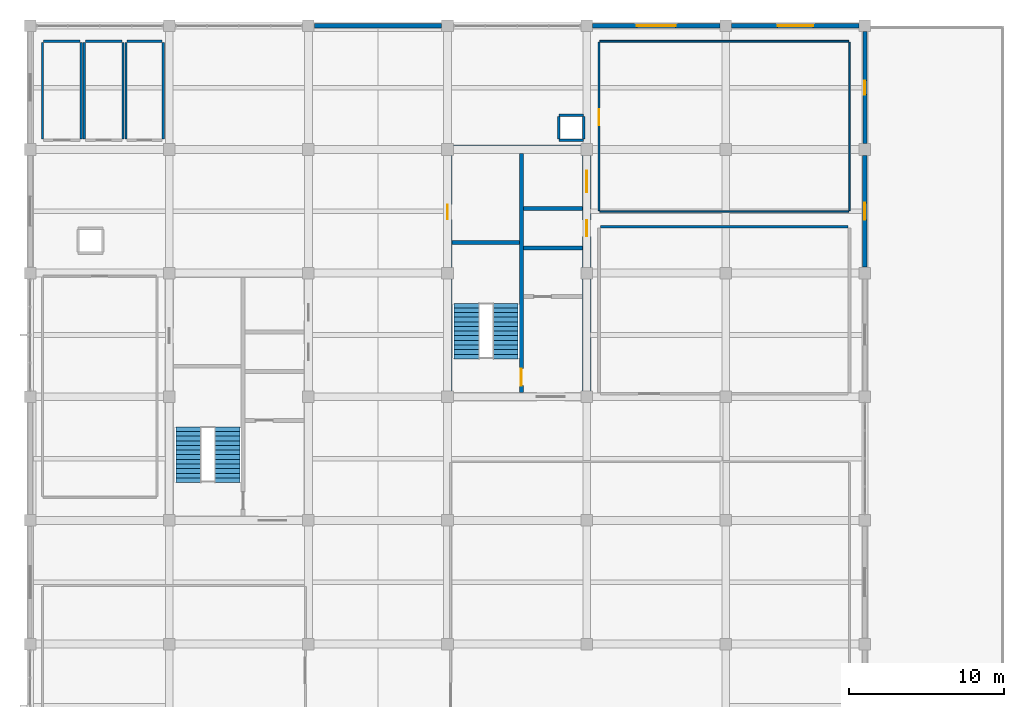
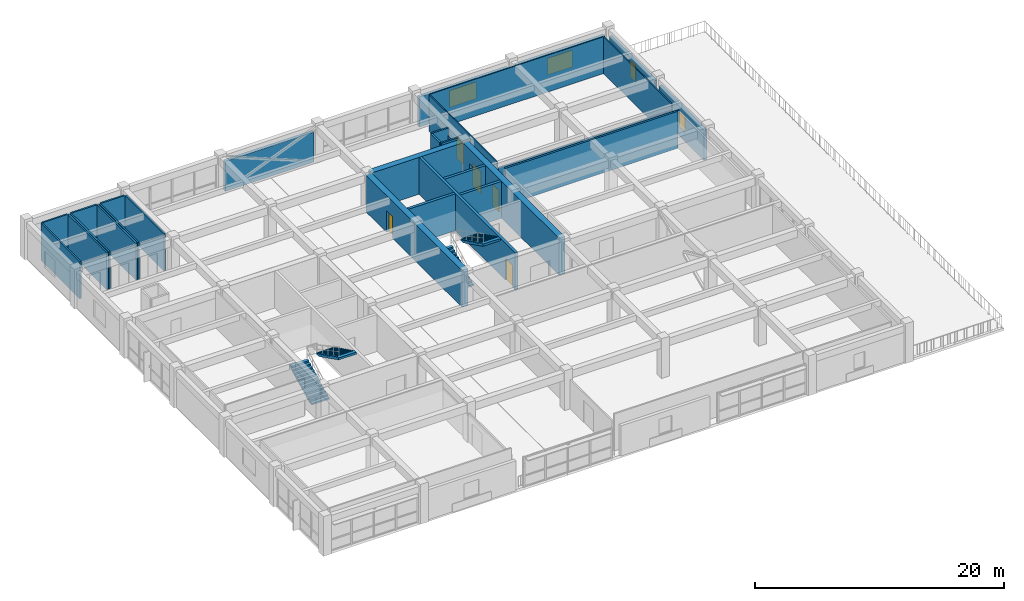
# One storey, part 13 of 15: 30 walls, 5 doors, 4 stair flights, 4 windows, 9 openings, 2 elements without a shape of their own.
"""IFC4 building model written with IfcOpenShell, lengths in metres."""

from ifc_helpers import new_model, si_unit, direction, frame, frame_2d, origin, place, context, subcontext, project, spatial, polyline, rectangle, outline, extrude, material, layer, layer_set, type_object, element, fill, aggregate, save


model = new_model("IFC4")

# Units and contexts
model_context = context("Model", 3, precision=1e-05, world=origin(), true_north=direction((0.0, 1.0)))
body_context = subcontext(model_context, "Body", "Model", "MODEL_VIEW")
ifc_project = project(units=[si_unit("LENGTHUNIT", "METRE"), si_unit("AREAUNIT", "SQUARE_METRE"), si_unit("VOLUMEUNIT", "CUBIC_METRE"), si_unit("PLANEANGLEUNIT", "RADIAN"), si_unit("MASSUNIT", "GRAM", prefix="KILO")], contexts=[model_context])

# Site, building, storey
site_placement = place(None, origin())
site = spatial("IfcSite", under=ifc_project, at=site_placement, CompositionType="ELEMENT")
building_placement = place(site_placement, origin())
building = spatial("IfcBuilding", under=site, at=building_placement, Name="Zaverband Oceanarium and Marine Research Institute", CompositionType="ELEMENT")
storey_placement = place(building_placement, frame((0.0, 0.0, 45.300048828125)))
storey = spatial("IfcBuildingStorey", under=building, at=storey_placement, Name="L11", CompositionType="ELEMENT", Elevation=45.300048828125)

# Wall
ifc_material_1 = material(Name="Concrete C50/60", Category="concrete")
ifc_layer_1 = layer(ifc_material_1, 0.550048828125, Name="Concrete C50/60")
ifc_layer_set_1 = layer_set([ifc_layer_1], Name="Concrete C50/60")
wall_type_1 = type_object("IfcWallType", Name="CW-01", PredefinedType="SHEAR", material=ifc_layer_set_1)
wall_1_placement = place(storey_placement, frame((36.27490234375, 104.0, 0.0), z_axis=(0.0, 0.0, 1.0), x_axis=(1.0, 0.0, 0.0)))
element("IfcWall", 1, at=wall_1_placement, inside=storey, type_object=wall_type_1, Name="Structural shear wall CW-01", PredefinedType="SHEAR", context=body_context, shape_type="SweptSolid", body=[
    extrude(rectangle(XDim=8.4501953125, YDim=0.550048828125, at=frame_2d((4.22509765625, 0.0))), origin(), (0.0, 0.0, 1.0), 3.619873046875),
])

# Wall, opening, door
wall_2_placement = place(storey_placement, frame((36.0, 88.27490234375, 0.0), z_axis=(0.0, 0.0, 1.0), x_axis=(0.0, 1.0, 0.0)))
wall_2 = element("IfcWall", 2, at=wall_2_placement, inside=storey, type_object=wall_type_1, Name="Structural shear wall CW-01", PredefinedType="SHEAR", context=body_context, shape_type="SweptSolid", body=[
    extrude(rectangle(XDim=15.4501953125, YDim=0.550048828125, at=frame_2d((7.72509765625, 0.0))), origin(), (0.0, 0.0, 1.0), 3.619873046875),
])
opening_1_placement = place(wall_2_placement, frame((11.199951171875, 0.0, 0.0)))
opening_1 = element("IfcOpeningElement", 3, at=opening_1_placement, cuts=wall_2, Name="Opening FD-03", PredefinedType="OPENING", context=body_context, shape_type="SweptSolid", body=[
    extrude(rectangle(XDim=0.949951171875, YDim=2.10009765625, at=frame_2d((0.47509765625, 1.050048828125))), frame((0.0, 0.287109375, 0.0), z_axis=(0.0, -1.0, 0.0), x_axis=(1.0, 0.0, 0.0)), (0.0, 0.0, 1.0), 0.573974609375),
])
ifc_material_2 = material(Name="Steel S355", Category="steel")
door_type_1 = type_object("IfcDoorType", Name="FD-03", OperationType="NOTDEFINED", PredefinedType="DOOR", material=ifc_material_2)
door_1_placement = place(opening_1_placement, origin())
door_1 = element("IfcDoor", 4, at=door_1_placement, inside=storey, type_object=door_type_1, Name="Service riser access fire door FD-03", OperationType="SINGLE_SWING_RIGHT", OverallHeight=2.10009765625, OverallWidth=0.949951171875, PredefinedType="DOOR", context=body_context, shape_type="SweptSolid", body=[
    extrude(rectangle(XDim=0.949951171875, YDim=2.10009765625, at=frame_2d((0.47509765625, 1.050048828125))), frame((0.0, 0.02490234375, 0.0), z_axis=(0.0, -1.0, 0.0), x_axis=(1.0, 0.0, 0.0)), (0.0, 0.0, 1.0), 0.050048828125),
])
fill(opening_1, door_1)

# Wall, openings, doors
wall_3_placement = place(storey_placement, frame((45.0, 88.27490234375, 0.0), z_axis=(0.0, 0.0, 1.0), x_axis=(0.0, 1.0, 0.0)))
wall_3 = element("IfcWall", 5, at=wall_3_placement, inside=storey, type_object=wall_type_1, Name="Structural shear wall CW-01", PredefinedType="SHEAR", context=body_context, shape_type="SweptSolid", body=[
    extrude(rectangle(XDim=15.4501953125, YDim=0.550048828125, at=frame_2d((7.72509765625, 0.0))), origin(), (0.0, 0.0, 1.0), 3.619873046875),
])
opening_2_placement = place(wall_3_placement, frame((10.10009765625, 0.0, 0.0)))
opening_2 = element("IfcOpeningElement", 6, at=opening_2_placement, cuts=wall_3, Name="Opening LD-02", PredefinedType="OPENING", context=body_context, shape_type="SweptSolid", body=[
    extrude(rectangle(XDim=1.050048828125, YDim=2.1201171875, at=frame_2d((0.52490234375, 1.06005859375))), frame((0.0, 0.287109375, 0.0), z_axis=(0.0, -1.0, 0.0), x_axis=(1.0, 0.0, 0.0)), (0.0, 0.0, 1.0), 0.573974609375),
])
opening_3_placement = place(wall_3_placement, frame((12.949951171875, 0.0, 0.0)))
opening_3 = element("IfcOpeningElement", 7, at=opening_3_placement, cuts=wall_3, Name="Opening LD-03", PredefinedType="OPENING", context=body_context, shape_type="SweptSolid", body=[
    extrude(rectangle(XDim=1.39990234375, YDim=2.199951171875, at=frame_2d((0.699951171875, 1.10009765625))), frame((0.0, 0.287109375, 0.0), z_axis=(0.0, -1.0, 0.0), x_axis=(1.0, 0.0, 0.0)), (0.0, 0.0, 1.0), 0.573974609375),
])
door_type_2 = type_object("IfcDoorType", Name="LD-02", OperationType="DOUBLE_DOOR_SLIDING", PredefinedType="DOOR", material=ifc_material_2)
door_2_placement = place(opening_2_placement, origin())
door_2 = element("IfcDoor", 8, at=door_2_placement, inside=storey, type_object=door_type_2, Name="Passenger lift sliding landing door LD-02", OperationType="DOUBLE_DOOR_SLIDING", OverallHeight=2.1201171875, OverallWidth=1.050048828125, PredefinedType="DOOR", context=body_context, shape_type="SweptSolid", body=[
    extrude(rectangle(XDim=1.050048828125, YDim=2.1201171875, at=frame_2d((0.52490234375, 1.06005859375))), frame((0.0, 0.02490234375, 0.0), z_axis=(0.0, -1.0, 0.0), x_axis=(1.0, 0.0, 0.0)), (0.0, 0.0, 1.0), 0.050048828125),
])
fill(opening_2, door_2)
door_type_3 = type_object("IfcDoorType", Name="LD-03", OperationType="DOUBLE_DOOR_SLIDING", PredefinedType="DOOR", material=ifc_material_2)
door_3_placement = place(opening_3_placement, origin())
door_3 = element("IfcDoor", 9, at=door_3_placement, inside=storey, type_object=door_type_3, Name="Specimen goods lift sliding landing door LD-03", OperationType="DOUBLE_DOOR_SLIDING", OverallHeight=2.199951171875, OverallWidth=1.39990234375, PredefinedType="DOOR", context=body_context, shape_type="SweptSolid", body=[
    extrude(rectangle(XDim=1.39990234375, YDim=2.199951171875, at=frame_2d((0.699951171875, 1.10009765625))), frame((0.0, 0.02490234375, 0.0), z_axis=(0.0, -1.0, 0.0), x_axis=(1.0, 0.0, 0.0)), (0.0, 0.0, 1.0), 0.050048828125),
])
fill(opening_3, door_3)

# Wall, opening, window
ifc_material_3 = material(Name="Concrete C40/50 precast", Category="concrete")
ifc_layer_2 = layer(ifc_material_3, 0.264892578125, Name="Concrete C40/50 precast")
ifc_layer_set_2 = layer_set([ifc_layer_2], Name="Concrete C40/50 precast")
wall_type_2 = type_object("IfcWallType", Name="EW-265", PredefinedType="STANDARD", material=ifc_layer_set_2)
wall_4_placement = place(storey_placement, frame((45.3798828125, 112.0, 0.0), z_axis=(0.0, 0.0, 1.0), x_axis=(1.0, 0.0, 0.0)))
wall_4 = element("IfcWall", 10, at=wall_4_placement, inside=storey, type_object=wall_type_2, Name="Exterior infill wall EW-265", PredefinedType="STANDARD", context=body_context, shape_type="SweptSolid", body=[
    extrude(rectangle(XDim=8.240234375, YDim=0.264892578125, at=frame_2d((4.1201171875, 0.0))), origin(), (0.0, 0.0, 1.0), 2.949951171875),
])
opening_4_placement = place(wall_4_placement, frame((2.8701171875, 0.0, 0.85009765625)))
opening_4 = element("IfcOpeningElement", 11, at=opening_4_placement, cuts=wall_4, Name="Opening WN-2500x1650", PredefinedType="OPENING", context=body_context, shape_type="SweptSolid", body=[
    extrude(rectangle(XDim=2.5, YDim=1.64990234375, at=frame_2d((1.25, 0.824951171875))), frame((0.0, 0.14453125, 0.0), z_axis=(0.0, -1.0, 0.0), x_axis=(1.0, 0.0, 0.0)), (0.0, 0.0, 1.0), 0.288818359375),
])
ifc_material_4 = material(Name="Thermally broken anodized aluminium and solar-control glass", Category="aluminium")
window_type_1 = type_object("IfcWindowType", Name="WN-2500x1650", PartitioningType="SINGLE_PANEL", PredefinedType="WINDOW", material=ifc_material_4)
window_1_placement = place(opening_4_placement, origin())
window_1 = element("IfcWindow", 12, at=window_1_placement, inside=storey, type_object=window_type_1, Name="Fixed / casement exterior window WN-2500x1650", OverallHeight=1.64990234375, OverallWidth=2.5, PartitioningType="SINGLE_PANEL", PredefinedType="WINDOW", context=body_context, shape_type="SweptSolid", body=[
    extrude(rectangle(XDim=2.5, YDim=1.64990234375, at=frame_2d((1.25, 0.824951171875))), frame((0.0, 0.030029296875, 0.0), z_axis=(0.0, -1.0, 0.0), x_axis=(1.0, 0.0, 0.0)), (0.0, 0.0, 1.0), 0.06005859375),
])
fill(opening_4, window_1)

wall_5_placement = place(storey_placement, frame((63.0, 104.3798828125, 0.0), z_axis=(0.0, 0.0, 1.0), x_axis=(0.0, 1.0, 0.0)))
wall_5 = element("IfcWall", 13, at=wall_5_placement, inside=storey, type_object=wall_type_2, Name="Exterior infill wall EW-265", PredefinedType="STANDARD", context=body_context, shape_type="SweptSolid", body=[
    extrude(rectangle(XDim=7.240234375, YDim=0.264892578125, at=frame_2d((3.6201171875, 0.0))), origin(), (0.0, 0.0, 1.0), 2.949951171875),
])
opening_5_placement = place(wall_5_placement, frame((3.169921875, 0.0, 0.85009765625)))
opening_5 = element("IfcOpeningElement", 14, at=opening_5_placement, cuts=wall_5, Name="Opening WN-900x1650", PredefinedType="OPENING", context=body_context, shape_type="SweptSolid", body=[
    extrude(rectangle(XDim=0.89990234375, YDim=1.64990234375, at=frame_2d((0.449951171875, 0.824951171875))), frame((0.0, 0.14453125, 0.0), z_axis=(0.0, -1.0, 0.0), x_axis=(1.0, 0.0, 0.0)), (0.0, 0.0, 1.0), 0.288818359375),
])
window_type_2 = type_object("IfcWindowType", Name="WN-900x1650", PartitioningType="SINGLE_PANEL", PredefinedType="WINDOW", material=ifc_material_4)
window_2_placement = place(opening_5_placement, origin())
window_2 = element("IfcWindow", 15, at=window_2_placement, inside=storey, type_object=window_type_2, Name="Fixed / casement exterior window WN-900x1650", OverallHeight=1.64990234375, OverallWidth=0.89990234375, PartitioningType="SINGLE_PANEL", PredefinedType="WINDOW", context=body_context, shape_type="SweptSolid", body=[
    extrude(rectangle(XDim=0.89990234375, YDim=1.64990234375, at=frame_2d((0.449951171875, 0.824951171875))), frame((0.0, 0.030029296875, 0.0), z_axis=(0.0, -1.0, 0.0), x_axis=(1.0, 0.0, 0.0)), (0.0, 0.0, 1.0), 0.06005859375),
])
fill(opening_5, window_2)

# Wall
ifc_layer_3 = layer(ifc_material_3, 0.2900390625, Name="Concrete C40/50 precast")
ifc_layer_set_3 = layer_set([ifc_layer_3], Name="Concrete C40/50 precast")
wall_type_3 = type_object("IfcWallType", Name="EW-290", PredefinedType="STANDARD", material=ifc_layer_set_3)
wall_6_placement = place(storey_placement, frame((27.3798828125, 112.0, 0.0), z_axis=(0.0, 0.0, 1.0), x_axis=(1.0, 0.0, 0.0)))
element("IfcWall", 16, at=wall_6_placement, inside=storey, type_object=wall_type_3, Name="Exterior infill wall EW-290", PredefinedType="STANDARD", context=body_context, shape_type="SweptSolid", body=[
    extrude(rectangle(XDim=8.240234375, YDim=0.2900390625, at=frame_2d((4.1201171875, 0.0))), origin(), (0.0, 0.0, 1.0), 2.949951171875),
])

# Wall, opening, window
wall_7_placement = place(storey_placement, frame((54.3798828125, 112.0, 0.0), z_axis=(0.0, 0.0, 1.0), x_axis=(1.0, 0.0, 0.0)))
wall_7 = element("IfcWall", 17, at=wall_7_placement, inside=storey, type_object=wall_type_3, Name="Exterior infill wall EW-290", PredefinedType="STANDARD", context=body_context, shape_type="SweptSolid", body=[
    extrude(rectangle(XDim=8.240234375, YDim=0.2900390625, at=frame_2d((4.1201171875, 0.0))), origin(), (0.0, 0.0, 1.0), 2.949951171875),
])
opening_6_placement = place(wall_7_placement, frame((2.969970703125, 0.0, 0.85009765625)))
opening_6 = element("IfcOpeningElement", 18, at=opening_6_placement, cuts=wall_7, Name="Opening WN-2300x1650", PredefinedType="OPENING", context=body_context, shape_type="SweptSolid", body=[
    extrude(rectangle(XDim=2.300048828125, YDim=1.64990234375, at=frame_2d((1.14990234375, 0.824951171875))), frame((0.0, 0.156982421875, 0.0), z_axis=(0.0, -1.0, 0.0), x_axis=(1.0, 0.0, 0.0)), (0.0, 0.0, 1.0), 0.31396484375),
])
window_type_3 = type_object("IfcWindowType", Name="WN-2300x1650", PartitioningType="SINGLE_PANEL", PredefinedType="WINDOW", material=ifc_material_4)
window_3_placement = place(opening_6_placement, origin())
window_3 = element("IfcWindow", 19, at=window_3_placement, inside=storey, type_object=window_type_3, Name="Fixed / casement exterior window WN-2300x1650", OverallHeight=1.64990234375, OverallWidth=2.300048828125, PartitioningType="SINGLE_PANEL", PredefinedType="WINDOW", context=body_context, shape_type="SweptSolid", body=[
    extrude(rectangle(XDim=2.300048828125, YDim=1.64990234375, at=frame_2d((1.14990234375, 0.824951171875))), frame((0.0, 0.030029296875, 0.0), z_axis=(0.0, -1.0, 0.0), x_axis=(1.0, 0.0, 0.0)), (0.0, 0.0, 1.0), 0.06005859375),
])
fill(opening_6, window_3)

wall_8_placement = place(storey_placement, frame((63.0, 96.3798828125, 0.0), z_axis=(0.0, 0.0, 1.0), x_axis=(0.0, 1.0, 0.0)))
wall_8 = element("IfcWall", 20, at=wall_8_placement, inside=storey, type_object=wall_type_3, Name="Exterior infill wall EW-290", PredefinedType="STANDARD", context=body_context, shape_type="SweptSolid", body=[
    extrude(rectangle(XDim=7.240234375, YDim=0.2900390625, at=frame_2d((3.6201171875, 0.0))), origin(), (0.0, 0.0, 1.0), 2.949951171875),
])
opening_7_placement = place(wall_8_placement, frame((3.070068359375, 0.0, 0.85009765625)))
opening_7 = element("IfcOpeningElement", 21, at=opening_7_placement, cuts=wall_8, Name="Opening WN-1100x1650", PredefinedType="OPENING", context=body_context, shape_type="SweptSolid", body=[
    extrude(rectangle(XDim=1.10009765625, YDim=1.64990234375, at=frame_2d((0.550048828125, 0.824951171875))), frame((0.0, 0.156982421875, 0.0), z_axis=(0.0, -1.0, 0.0), x_axis=(1.0, 0.0, 0.0)), (0.0, 0.0, 1.0), 0.31396484375),
])
window_type_4 = type_object("IfcWindowType", Name="WN-1100x1650", PartitioningType="SINGLE_PANEL", PredefinedType="WINDOW", material=ifc_material_4)
window_4_placement = place(opening_7_placement, origin())
window_4 = element("IfcWindow", 22, at=window_4_placement, inside=storey, type_object=window_type_4, Name="Fixed / casement exterior window WN-1100x1650", OverallHeight=1.64990234375, OverallWidth=1.10009765625, PartitioningType="SINGLE_PANEL", PredefinedType="WINDOW", context=body_context, shape_type="SweptSolid", body=[
    extrude(rectangle(XDim=1.10009765625, YDim=1.64990234375, at=frame_2d((0.550048828125, 0.824951171875))), frame((0.0, 0.030029296875, 0.0), z_axis=(0.0, -1.0, 0.0), x_axis=(1.0, 0.0, 0.0)), (0.0, 0.0, 1.0), 0.06005859375),
])
fill(opening_7, window_4)

# Walls
ifc_material_5 = material(Name="Framed fire-rated glass laboratory partition", Category="glass")
ifc_layer_4 = layer(ifc_material_5, 0.10009765625, Name="Framed fire-rated glass laboratory partition")
ifc_layer_set_4 = layer_set([ifc_layer_4], Name="Framed fire-rated glass laboratory partition")
wall_type_4 = type_object("IfcWallType", Name="PT-100-GL", PredefinedType="PARTITIONING", material=ifc_layer_set_4)
wall_9_placement = place(storey_placement, frame((45.85009765625, 100.0, 0.0), z_axis=(0.0, 0.0, 1.0), x_axis=(1.0, 0.0, 0.0)))
element("IfcWall", 23, at=wall_9_placement, inside=storey, type_object=wall_type_4, Name="Internal partition PT-100-GL", PredefinedType="PARTITIONING", context=body_context, shape_type="SweptSolid", body=[
    extrude(rectangle(XDim=16.099853515625, YDim=0.10009765625, at=frame_2d((8.0498046875, 0.0))), origin(), (0.0, 0.0, 1.0), 3.070068359375),
])
wall_10_placement = place(storey_placement, frame((45.85009765625, 111.0, 0.0), z_axis=(0.0, 0.0, 1.0), x_axis=(1.0, 0.0, 0.0)))
element("IfcWall", 24, at=wall_10_placement, inside=storey, type_object=wall_type_4, Name="Internal partition PT-100-GL", PredefinedType="PARTITIONING", context=body_context, shape_type="SweptSolid", body=[
    extrude(rectangle(XDim=16.099853515625, YDim=0.10009765625, at=frame_2d((8.0498046875, 0.0))), origin(), (0.0, 0.0, 1.0), 3.619873046875),
])

# Wall, opening, door
wall_11_placement = place(storey_placement, frame((45.800048828125, 100.050048828125, 0.0), z_axis=(0.0, 0.0, 1.0), x_axis=(0.0, 1.0, 0.0)))
wall_11 = element("IfcWall", 25, at=wall_11_placement, inside=storey, type_object=wall_type_4, Name="Internal partition PT-100-GL", PredefinedType="PARTITIONING", context=body_context, shape_type="SweptSolid", body=[
    extrude(rectangle(XDim=10.89990234375, YDim=0.10009765625, at=frame_2d((5.449951171875, 0.0))), origin(), (0.0, 0.0, 1.0), 3.619873046875),
])
opening_8_placement = place(wall_11_placement, frame((5.5, 0.0, 0.0)))
opening_8 = element("IfcOpeningElement", 26, at=opening_8_placement, cuts=wall_11, Name="Opening ID-1050x2100", PredefinedType="OPENING", context=body_context, shape_type="SweptSolid", body=[
    extrude(rectangle(XDim=1.050048828125, YDim=2.10009765625, at=frame_2d((0.52490234375, 1.050048828125))), frame((0.0, 0.06201171875, 0.0), z_axis=(0.0, -1.0, 0.0), x_axis=(1.0, 0.0, 0.0)), (0.0, 0.0, 1.0), 0.1240234375),
])
ifc_material_6 = material(Name="Hardwood-veneered acoustic timber", Category="wood")
door_type_4 = type_object("IfcDoorType", Name="ID-1050x2100", OperationType="NOTDEFINED", PredefinedType="DOOR", material=ifc_material_6)
door_4_placement = place(opening_8_placement, origin())
door_4 = element("IfcDoor", 27, at=door_4_placement, inside=storey, type_object=door_type_4, Name="Dry laboratory door ID-1050x2100", OperationType="SINGLE_SWING_RIGHT", OverallHeight=2.10009765625, OverallWidth=1.050048828125, PredefinedType="DOOR", context=body_context, shape_type="SweptSolid", body=[
    extrude(rectangle(XDim=1.050048828125, YDim=2.10009765625, at=frame_2d((0.52490234375, 1.050048828125))), frame((0.0, 0.02490234375, 0.0), z_axis=(0.0, -1.0, 0.0), x_axis=(1.0, 0.0, 0.0)), (0.0, 0.0, 1.0), 0.050048828125),
])
fill(opening_8, door_4)

# Walls
wall_12_placement = place(storey_placement, frame((62.0, 100.050048828125, 0.0), z_axis=(0.0, 0.0, 1.0), x_axis=(0.0, 1.0, 0.0)))
element("IfcWall", 28, at=wall_12_placement, inside=storey, type_object=wall_type_4, Name="Internal partition PT-100-GL", PredefinedType="PARTITIONING", context=body_context, shape_type="SweptSolid", body=[
    extrude(rectangle(XDim=10.89990234375, YDim=0.10009765625, at=frame_2d((5.449951171875, 0.0))), origin(), (0.0, 0.0, 1.0), 3.619873046875),
])
ifc_material_7 = material(Name="Ceramic-tiled wet-room blockwork", Category="masonry")
ifc_layer_5 = layer(ifc_material_7, 0.14990234375, Name="Ceramic-tiled wet-room blockwork")
ifc_layer_set_5 = layer_set([ifc_layer_5], Name="Ceramic-tiled wet-room blockwork")
wall_type_5 = type_object("IfcWallType", Name="PT-150-WC", PredefinedType="PARTITIONING", material=ifc_layer_set_5)
wall_13_placement = place(storey_placement, frame((9.875, 111.0, 0.0), z_axis=(0.0, 0.0, 1.0), x_axis=(1.0, 0.0, 0.0)))
element("IfcWall", 29, at=wall_13_placement, inside=storey, type_object=wall_type_5, Name="Internal partition PT-150-WC", PredefinedType="PARTITIONING", context=body_context, shape_type="SweptSolid", body=[
    extrude(rectangle(XDim=2.35009765625, YDim=0.14990234375, at=frame_2d((1.175048828125, 0.0))), origin(), (0.0, 0.0, 1.0), 3.619873046875),
])
for number, where, z_axis, x_axis, name in (
    (30, (9.800048828125, 104.675048828125, 0.0), (0.0, 0.0, 1.0), (0.0, 1.0, 0.0), "Internal partition PT-150-WC"),
    (31, (12.300048828125, 104.675048828125, 0.0), (0.0, 0.0, 1.0), (0.0, 1.0, 0.0), "Internal partition PT-150-WC"),
):
    element("IfcWall", number, at=place(storey_placement, frame(where, z_axis=z_axis, x_axis=x_axis)), inside=storey, type_object=wall_type_5, Name=name, PredefinedType="PARTITIONING", context=body_context, shape_type="SweptSolid", body=[
        extrude(rectangle(XDim=6.25, YDim=0.14990234375, at=frame_2d((3.125, 0.0))), origin(), (0.0, 0.0, 1.0), 3.619873046875),
    ])
wall_14_placement = place(storey_placement, frame((12.574951171875, 111.0, 0.0), z_axis=(0.0, 0.0, 1.0), x_axis=(1.0, 0.0, 0.0)))
element("IfcWall", 32, at=wall_14_placement, inside=storey, type_object=wall_type_5, Name="Internal partition PT-150-WC", PredefinedType="PARTITIONING", context=body_context, shape_type="SweptSolid", body=[
    extrude(rectangle(XDim=2.35009765625, YDim=0.14990234375, at=frame_2d((1.175048828125, 0.0))), origin(), (0.0, 0.0, 1.0), 3.619873046875),
])
for number, where, z_axis, x_axis, name in (
    (33, (12.5, 104.675048828125, 0.0), (0.0, 0.0, 1.0), (0.0, 1.0, 0.0), "Internal partition PT-150-WC"),
    (34, (15.0, 104.675048828125, 0.0), (0.0, 0.0, 1.0), (0.0, 1.0, 0.0), "Internal partition PT-150-WC"),
):
    element("IfcWall", number, at=place(storey_placement, frame(where, z_axis=z_axis, x_axis=x_axis)), inside=storey, type_object=wall_type_5, Name=name, PredefinedType="PARTITIONING", context=body_context, shape_type="SweptSolid", body=[
        extrude(rectangle(XDim=6.25, YDim=0.14990234375, at=frame_2d((3.125, 0.0))), origin(), (0.0, 0.0, 1.0), 3.619873046875),
    ])
wall_15_placement = place(storey_placement, frame((15.27490234375, 111.0, 0.0), z_axis=(0.0, 0.0, 1.0), x_axis=(1.0, 0.0, 0.0)))
element("IfcWall", 35, at=wall_15_placement, inside=storey, type_object=wall_type_5, Name="Internal partition PT-150-WC", PredefinedType="PARTITIONING", context=body_context, shape_type="SweptSolid", body=[
    extrude(rectangle(XDim=2.25, YDim=0.14990234375, at=frame_2d((1.125, 0.0))), origin(), (0.0, 0.0, 1.0), 3.619873046875),
])
for number, where, z_axis, x_axis, name in (
    (36, (15.199951171875, 104.675048828125, 0.0), (0.0, 0.0, 1.0), (0.0, 1.0, 0.0), "Internal partition PT-150-WC"),
    (37, (17.60009765625, 104.675048828125, 0.0), (0.0, 0.0, 1.0), (0.0, 1.0, 0.0), "Internal partition PT-150-WC"),
):
    element("IfcWall", number, at=place(storey_placement, frame(where, z_axis=z_axis, x_axis=x_axis)), inside=storey, type_object=wall_type_5, Name=name, PredefinedType="PARTITIONING", context=body_context, shape_type="SweptSolid", body=[
        extrude(rectangle(XDim=6.25, YDim=0.14990234375, at=frame_2d((3.125, 0.0))), origin(), (0.0, 0.0, 1.0), 3.619873046875),
    ])
ifc_material_8 = material(Name="Corridor rated drywall partition")
ifc_layer_6 = layer(ifc_material_8, 0.1650390625, Name="Corridor rated drywall partition")
ifc_layer_set_6 = layer_set([ifc_layer_6], Name="Corridor rated drywall partition")
wall_type_6 = type_object("IfcWallType", Name="PT-165-CR", PredefinedType="PARTITIONING", material=ifc_layer_set_6)
for number, where, z_axis, x_axis, name in (
    (38, (43.199951171875, 104.60009765625, 0.0), (0.0, 0.0, 1.0), (1.0, 0.0, 0.0), "Internal partition PT-165-CR"),
    (39, (43.199951171875, 106.199951171875, 0.0), (0.0, 0.0, 1.0), (1.0, 0.0, 0.0), "Internal partition PT-165-CR"),
):
    element("IfcWall", number, at=place(storey_placement, frame(where, z_axis=z_axis, x_axis=x_axis)), inside=storey, type_object=wall_type_6, Name=name, PredefinedType="PARTITIONING", context=body_context, shape_type="SweptSolid", body=[
        extrude(rectangle(XDim=1.60009765625, YDim=0.1650390625, at=frame_2d((0.800048828125, 0.0))), origin(), (0.0, 0.0, 1.0), 3.619873046875),
    ])
wall_16_placement = place(storey_placement, frame((43.199951171875, 104.679931640625, 0.0), z_axis=(0.0, 0.0, 1.0), x_axis=(0.0, 1.0, 0.0)))
element("IfcWall", 40, at=wall_16_placement, inside=storey, type_object=wall_type_6, Name="Internal partition PT-165-CR", PredefinedType="PARTITIONING", context=body_context, shape_type="SweptSolid", body=[
    extrude(rectangle(XDim=1.440185546875, YDim=0.1650390625, at=frame_2d((0.72021484375, 0.0))), origin(), (0.0, 0.0, 1.0), 3.619873046875),
])
wall_17_placement = place(storey_placement, frame((44.800048828125, 104.679931640625, 0.0), z_axis=(0.0, 0.0, 1.0), x_axis=(0.0, 1.0, 0.0)))
element("IfcWall", 41, at=wall_17_placement, inside=storey, type_object=wall_type_6, Name="Internal partition PT-165-CR", PredefinedType="PARTITIONING", context=body_context, shape_type="SweptSolid", body=[
    extrude(rectangle(XDim=1.440185546875, YDim=0.1650390625, at=frame_2d((0.72021484375, 0.0))), origin(), (0.0, 0.0, 1.0), 2.869873046875),
])
ifc_material_9 = material(Name="Moisture-resistant laboratory blockwork", Category="masonry")
ifc_layer_7 = layer(ifc_material_9, 0.179931640625, Name="Moisture-resistant laboratory blockwork")
ifc_layer_set_7 = layer_set([ifc_layer_7], Name="Moisture-resistant laboratory blockwork")
wall_type_7 = type_object("IfcWallType", Name="PT-180-LB", PredefinedType="PARTITIONING", material=ifc_layer_set_7)
wall_18_placement = place(storey_placement, frame((45.889892578125, 99.0, 0.0), z_axis=(0.0, 0.0, 1.0), x_axis=(1.0, 0.0, 0.0)))
element("IfcWall", 42, at=wall_18_placement, inside=storey, type_object=wall_type_7, Name="Internal partition PT-180-LB", PredefinedType="PARTITIONING", context=body_context, shape_type="SweptSolid", body=[
    extrude(rectangle(XDim=16.02001953125, YDim=0.179931640625, at=frame_2d((8.010009765625, 0.0))), origin(), (0.0, 0.0, 1.0), 3.619873046875),
])

# Wall, opening, door
ifc_layer_8 = layer(ifc_material_1, 0.25, Name="Concrete C50/60")
ifc_layer_set_8 = layer_set([ifc_layer_8], Name="Concrete C50/60")
wall_type_8 = type_object("IfcWallType", Name="PW-CORE-250", PredefinedType="SOLIDWALL", material=ifc_layer_set_8)
wall_19_placement = place(storey_placement, frame((40.77490234375, 88.27490234375, 0.0), z_axis=(0.0, 0.0, 1.0), x_axis=(0.0, 1.0, 0.0)))
wall_19 = element("IfcWall", 43, at=wall_19_placement, inside=storey, type_object=wall_type_8, Name="Structural concrete wall PW-CORE-250", PredefinedType="SOLIDWALL", context=body_context, shape_type="SweptSolid", body=[
    extrude(rectangle(XDim=15.4501953125, YDim=0.25, at=frame_2d((7.72509765625, 0.0))), origin(), (0.0, 0.0, 1.0), 3.619873046875),
])
opening_9_placement = place(wall_19_placement, frame((0.449951171875, 0.0, 0.0)))
opening_9 = element("IfcOpeningElement", 44, at=opening_9_placement, cuts=wall_19, Name="Opening FD-01", PredefinedType="OPENING", context=body_context, shape_type="SweptSolid", body=[
    extrude(rectangle(XDim=1.10009765625, YDim=2.14990234375, at=frame_2d((0.550048828125, 1.074951171875))), frame((0.0, 0.136962890625, 0.0), z_axis=(0.0, -1.0, 0.0), x_axis=(1.0, 0.0, 0.0)), (0.0, 0.0, 1.0), 0.27392578125),
])
door_type_5 = type_object("IfcDoorType", Name="FD-01", OperationType="NOTDEFINED", PredefinedType="DOOR", material=ifc_material_2)
door_5_placement = place(opening_9_placement, origin())
door_5 = element("IfcDoor", 45, at=door_5_placement, inside=storey, type_object=door_type_5, Name="Core stair / lobby fire door FD-01", OperationType="SINGLE_SWING_RIGHT", OverallHeight=2.14990234375, OverallWidth=1.10009765625, PredefinedType="DOOR", context=body_context, shape_type="SweptSolid", body=[
    extrude(rectangle(XDim=1.10009765625, YDim=2.14990234375, at=frame_2d((0.550048828125, 1.074951171875))), frame((0.0, 0.02490234375, 0.0), z_axis=(0.0, -1.0, 0.0), x_axis=(1.0, 0.0, 0.0)), (0.0, 0.0, 1.0), 0.050048828125),
])
fill(opening_9, door_5)

# Walls
wall_20_placement = place(storey_placement, frame((36.27490234375, 97.97509765625, 0.0), z_axis=(0.0, 0.0, 1.0), x_axis=(1.0, 0.0, 0.0)))
element("IfcWall", 46, at=wall_20_placement, inside=storey, type_object=wall_type_8, Name="Structural concrete wall PW-CORE-250", PredefinedType="SOLIDWALL", context=body_context, shape_type="SweptSolid", body=[
    extrude(rectangle(XDim=4.3701171875, YDim=0.25, at=frame_2d((2.18505859375, 0.0))), origin(), (0.0, 0.0, 1.0), 3.619873046875),
])
for number, where, z_axis, x_axis, name in (
    (47, (40.905029296875, 97.6298828125, 0.0), (0.0, 0.0, 1.0), (1.0, 0.0, 0.0), "Structural concrete wall PW-CORE-250"),
    (48, (40.905029296875, 100.179931640625, 0.0), (0.0, 0.0, 1.0), (1.0, 0.0, 0.0), "Structural concrete wall PW-CORE-250"),
):
    element("IfcWall", number, at=place(storey_placement, frame(where, z_axis=z_axis, x_axis=x_axis)), inside=storey, type_object=wall_type_8, Name=name, PredefinedType="SOLIDWALL", context=body_context, shape_type="SweptSolid", body=[
        extrude(rectangle(XDim=3.820068359375, YDim=0.25, at=frame_2d((1.91015625, 0.0))), origin(), (0.0, 0.0, 1.0), 3.619873046875),
    ])

# Stair, stair flights
ifc_material_10 = material(Name="Concrete C40/50", Category="concrete")
stair_type = type_object("IfcStairType", Name="STR-TWR-1650-3900", PredefinedType="HALF_TURN_STAIR", material=ifc_material_10)
stair_1_placement = place(storey_placement, origin())
stair_1 = element("IfcStair", 49, at=stair_1_placement, inside=storey, type_object=stair_type, Name="Exit Stair ST-01 (L11)", PredefinedType="HALF_TURN_STAIR")
stair_flight_type = type_object("IfcStairFlightType", Name="STR-TWR-1650-3900-FL", PredefinedType="STRAIGHT", material=ifc_material_10)
stair_flight_1_placement = place(storey_placement, frame((19.2548828125, 82.449951171875, 0.0), z_axis=(0.0, 0.0, 1.0), x_axis=(0.0, 1.0, 0.0)))
stair_flight_1 = element("IfcStairFlight", 50, at=stair_flight_1_placement, type_object=stair_flight_type, Name="Reinforced concrete stair flight ST-01-F1", NumberOfRisers=13, NumberOfTreads=12, PredefinedType="STRAIGHT", RiserHeight=0.15, TreadLength=0.3, context=body_context, shape_type="SweptSolid", body=[
    extrude(outline(polyline([(0.0, 0.0), (0.0, 0.14990234375), (0.300048828125, 0.14990234375), (0.300048828125, 0.300048828125), (0.60009765625, 0.300048828125), (0.60009765625, 0.449951171875), (0.89990234375, 0.449951171875), (0.89990234375, 0.60009765625), (1.199951171875, 0.60009765625), (1.199951171875, 0.75), (1.5, 0.75), (1.5, 0.89990234375), (1.800048828125, 0.89990234375), (1.800048828125, 1.050048828125), (2.10009765625, 1.050048828125), (2.10009765625, 1.199951171875), (2.39990234375, 1.199951171875), (2.39990234375, 1.35009765625), (2.699951171875, 1.35009765625), (2.699951171875, 1.5), (3.0, 1.5), (3.0, 1.64990234375), (3.300048828125, 1.64990234375), (3.300048828125, 1.800048828125), (3.60009765625, 1.800048828125), (3.60009765625, 1.949951171875), (3.60009765625, 1.598876953125), (0.40234375, 0.0), (0.0, 0.0)])), frame((0.0, 0.824951171875, 0.0), z_axis=(0.0, -1.0, 0.0), x_axis=(1.0, 0.0, 0.0)), (0.0, 0.0, 1.0), 1.64990234375),
])
stair_flight_2_placement = place(storey_placement, frame((21.7451171875, 86.050048828125, 1.949951171875), z_axis=(0.0, 0.0, 1.0), x_axis=(0.0, -1.0, 0.0)))
stair_flight_2 = element("IfcStairFlight", 51, at=stair_flight_2_placement, type_object=stair_flight_type, Name="Reinforced concrete stair flight ST-01-F2", NumberOfRisers=13, NumberOfTreads=12, PredefinedType="STRAIGHT", RiserHeight=0.15, TreadLength=0.3, context=body_context, shape_type="SweptSolid", body=[
    extrude(outline(polyline([(0.0, 0.0), (0.0, 0.14990234375), (0.300048828125, 0.14990234375), (0.300048828125, 0.300048828125), (0.60009765625, 0.300048828125), (0.60009765625, 0.449951171875), (0.89990234375, 0.449951171875), (0.89990234375, 0.60009765625), (1.199951171875, 0.60009765625), (1.199951171875, 0.75), (1.5, 0.75), (1.5, 0.89990234375), (1.800048828125, 0.89990234375), (1.800048828125, 1.050048828125), (2.10009765625, 1.050048828125), (2.10009765625, 1.199951171875), (2.39990234375, 1.199951171875), (2.39990234375, 1.35009765625), (2.699951171875, 1.35009765625), (2.699951171875, 1.5), (3.0, 1.5), (3.0, 1.64990234375), (3.300048828125, 1.64990234375), (3.300048828125, 1.800048828125), (3.60009765625, 1.800048828125), (3.60009765625, 1.949951171875), (3.60009765625, 1.598876953125), (0.40234375, 0.0), (0.0, 0.0)])), frame((0.0, 0.824951171875, 0.0), z_axis=(0.0, -1.0, 0.0), x_axis=(1.0, 0.0, 0.0)), (0.0, 0.0, 1.0), 1.64990234375),
])
aggregate(stair_1, [stair_flight_1, stair_flight_2])

stair_2_placement = place(storey_placement, origin())
stair_2 = element("IfcStair", 52, at=stair_2_placement, inside=storey, type_object=stair_type, Name="Exit Stair ST-02 (L11)", PredefinedType="HALF_TURN_STAIR")
stair_flight_3_placement = place(storey_placement, frame((37.2548828125, 90.449951171875, 0.0), z_axis=(0.0, 0.0, 1.0), x_axis=(0.0, 1.0, 0.0)))
stair_flight_3 = element("IfcStairFlight", 53, at=stair_flight_3_placement, type_object=stair_flight_type, Name="Reinforced concrete stair flight ST-02-F1", NumberOfRisers=13, NumberOfTreads=12, PredefinedType="STRAIGHT", RiserHeight=0.15, TreadLength=0.3, context=body_context, shape_type="SweptSolid", body=[
    extrude(outline(polyline([(0.0, 0.0), (0.0, 0.14990234375), (0.300048828125, 0.14990234375), (0.300048828125, 0.300048828125), (0.60009765625, 0.300048828125), (0.60009765625, 0.449951171875), (0.89990234375, 0.449951171875), (0.89990234375, 0.60009765625), (1.199951171875, 0.60009765625), (1.199951171875, 0.75), (1.5, 0.75), (1.5, 0.89990234375), (1.800048828125, 0.89990234375), (1.800048828125, 1.050048828125), (2.10009765625, 1.050048828125), (2.10009765625, 1.199951171875), (2.39990234375, 1.199951171875), (2.39990234375, 1.35009765625), (2.699951171875, 1.35009765625), (2.699951171875, 1.5), (3.0, 1.5), (3.0, 1.64990234375), (3.300048828125, 1.64990234375), (3.300048828125, 1.800048828125), (3.60009765625, 1.800048828125), (3.60009765625, 1.949951171875), (3.60009765625, 1.598876953125), (0.40234375, 0.0), (0.0, 0.0)])), frame((0.0, 0.824951171875, 0.0), z_axis=(0.0, -1.0, 0.0), x_axis=(1.0, 0.0, 0.0)), (0.0, 0.0, 1.0), 1.64990234375),
])
stair_flight_4_placement = place(storey_placement, frame((39.7451171875, 94.050048828125, 1.949951171875), z_axis=(0.0, 0.0, 1.0), x_axis=(0.0, -1.0, 0.0)))
stair_flight_4 = element("IfcStairFlight", 54, at=stair_flight_4_placement, type_object=stair_flight_type, Name="Reinforced concrete stair flight ST-02-F2", NumberOfRisers=13, NumberOfTreads=12, PredefinedType="STRAIGHT", RiserHeight=0.15, TreadLength=0.3, context=body_context, shape_type="SweptSolid", body=[
    extrude(outline(polyline([(0.0, 0.0), (0.0, 0.14990234375), (0.300048828125, 0.14990234375), (0.300048828125, 0.300048828125), (0.60009765625, 0.300048828125), (0.60009765625, 0.449951171875), (0.89990234375, 0.449951171875), (0.89990234375, 0.60009765625), (1.199951171875, 0.60009765625), (1.199951171875, 0.75), (1.5, 0.75), (1.5, 0.89990234375), (1.800048828125, 0.89990234375), (1.800048828125, 1.050048828125), (2.10009765625, 1.050048828125), (2.10009765625, 1.199951171875), (2.39990234375, 1.199951171875), (2.39990234375, 1.35009765625), (2.699951171875, 1.35009765625), (2.699951171875, 1.5), (3.0, 1.5), (3.0, 1.64990234375), (3.300048828125, 1.64990234375), (3.300048828125, 1.800048828125), (3.60009765625, 1.800048828125), (3.60009765625, 1.949951171875), (3.60009765625, 1.598876953125), (0.40234375, 0.0), (0.0, 0.0)])), frame((0.0, 0.824951171875, 0.0), z_axis=(0.0, -1.0, 0.0), x_axis=(1.0, 0.0, 0.0)), (0.0, 0.0, 1.0), 1.64990234375),
])
aggregate(stair_2, [stair_flight_3, stair_flight_4])

save(model, "model.ifc")
